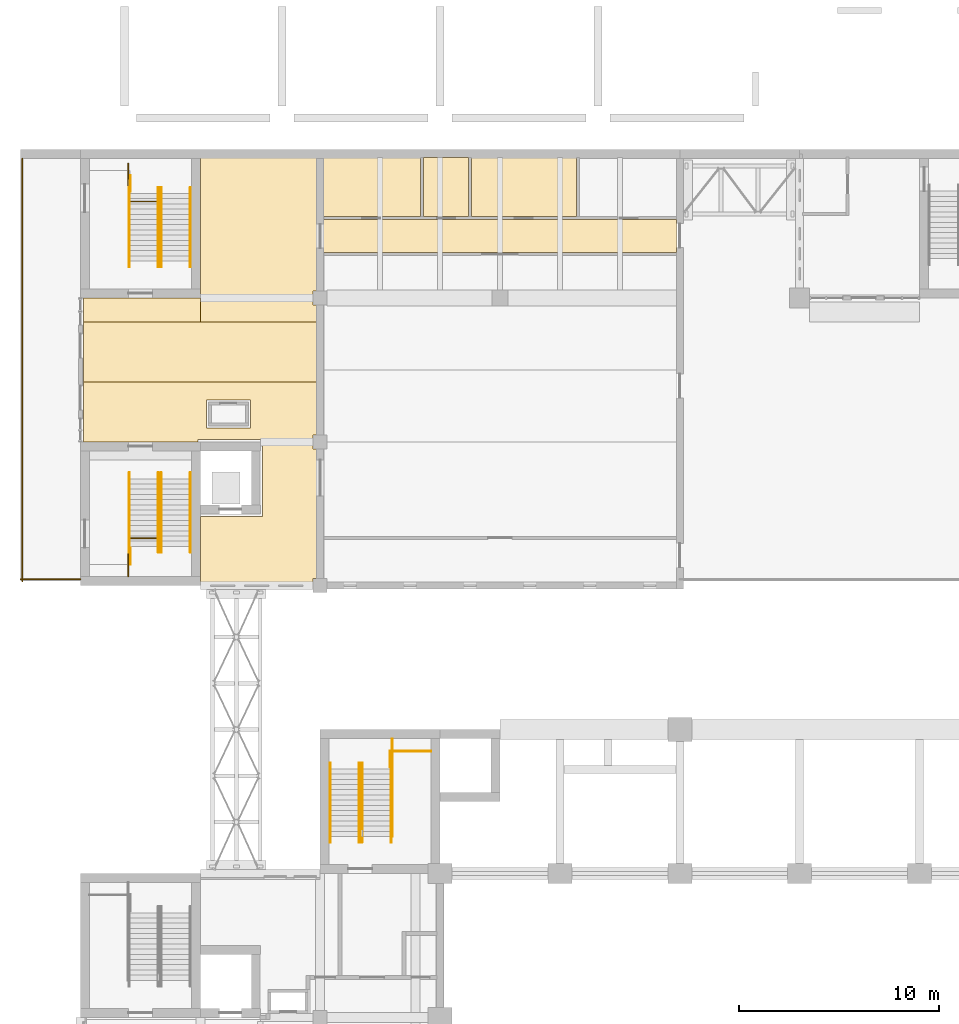
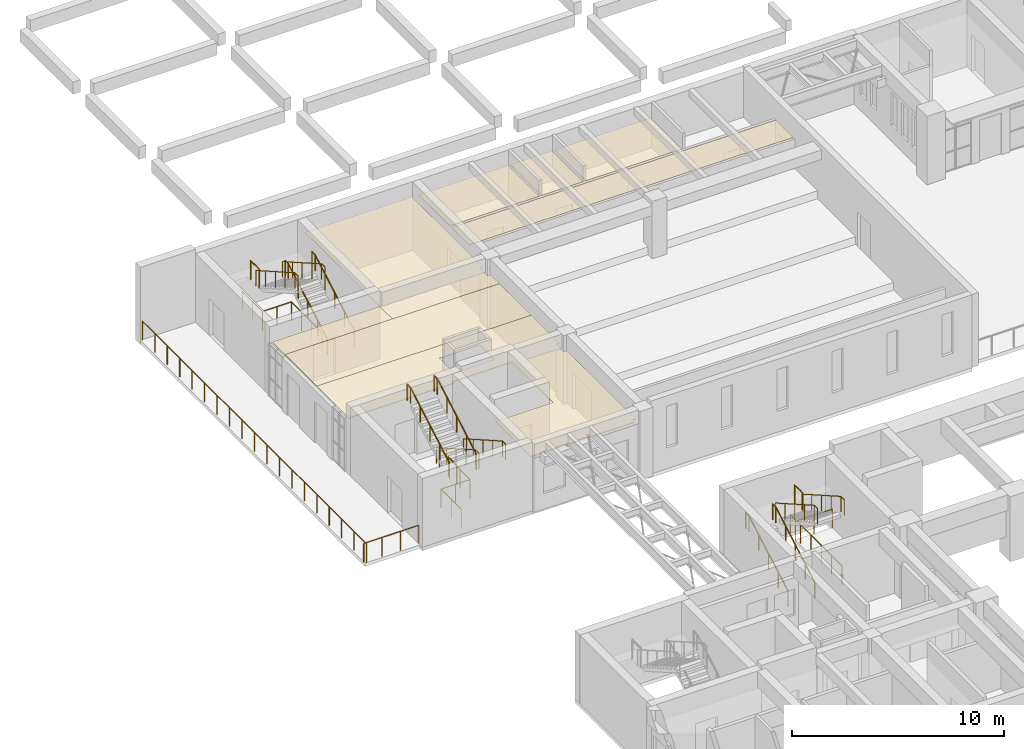
# One storey, part 97 of 103: 21 railings, 8 coverings.
"""IFC4 building model written with IfcOpenShell, lengths in metres."""

from ifc_helpers import new_model, si_unit, direction, frame, origin, origin_2d, place, context, subcontext, project, spatial, polyline, circle, outline, extrude, material, layer, layer_set, type_object, element, save


model = new_model("IFC4")

# Units and contexts
model_context = context("Model", 3, precision=1e-05, world=origin(), true_north=direction((0.0, 1.0)))
body_context = subcontext(model_context, "Body", "Model", "MODEL_VIEW")
ifc_project = project(units=[si_unit("LENGTHUNIT", "METRE"), si_unit("AREAUNIT", "SQUARE_METRE"), si_unit("VOLUMEUNIT", "CUBIC_METRE"), si_unit("PLANEANGLEUNIT", "RADIAN"), si_unit("MASSUNIT", "GRAM", prefix="KILO")], contexts=[model_context])

# Site, building, storey
site_placement = place(None, origin())
site = spatial("IfcSite", under=ifc_project, at=site_placement, CompositionType="ELEMENT")
building_placement = place(site_placement, origin())
building = spatial("IfcBuilding", under=site, at=building_placement, Name="Laocheng Heights Fire and Rescue Headquarters", CompositionType="ELEMENT")
storey_placement = place(building_placement, frame((0.0, 0.0, 4.199951171875)))
storey = spatial("IfcBuildingStorey", under=building, at=storey_placement, Name="L01", CompositionType="ELEMENT", Elevation=4.199951171875)

# Railings
ifc_material_1 = material(Name="Steel Q355B", Category="steel")
railing_type_1 = type_object("IfcRailingType", Name="STAIR GUARD 1100", PredefinedType="GUARDRAIL", material=ifc_material_1)
railing_1_placement = place(storey_placement, frame((15.52490234375, 27.719970703125, 0.0)))
element("IfcRailing", 1, at=railing_1_placement, inside=storey, type_object=railing_type_1, Name="Stair G1 guard L01 tongue edge", PredefinedType="GUARDRAIL", context=body_context, shape_type="SweptSolid", body=[
    extrude(circle(Radius=0.02392578125, at=origin_2d()), frame((0.0, 0.0, 1.076171875), z_axis=(1.0, 0.0, 0.0), x_axis=(0.0, 1.0, 0.0)), (0.0, 0.0, 1.0), 2.025146484375),
    extrude(circle(Radius=0.02099609375, at=origin_2d()), origin(), (0.0, 0.0, 1.0), 1.052001953125),
    extrude(circle(Radius=0.02099609375, at=origin_2d()), frame((1.0126953125, 0.0, 0.0)), (0.0, 0.0, 1.0), 1.052001953125),
    extrude(circle(Radius=0.02099609375, at=origin_2d()), frame((2.025146484375, 0.0, 0.0)), (0.0, 0.0, 1.0), 1.052001953125),
])
railing_2_placement = place(storey_placement, frame((15.60498046875, 28.330078125, 0.0)))
element("IfcRailing", 2, at=railing_2_placement, inside=storey, type_object=railing_type_1, Name="Stair G1 guard L01 strip edge", PredefinedType="GUARDRAIL", context=body_context, shape_type="SweptSolid", body=[
    extrude(circle(Radius=0.02392578125, at=origin_2d()), frame((0.0, 0.0, 1.076171875), z_axis=(0.0, -1.0, 0.0), x_axis=(1.0, 0.0, 0.0)), (0.0, 0.0, 1.0), 4.880126953125),
    extrude(circle(Radius=0.02099609375, at=origin_2d()), origin(), (0.0, 0.0, 1.0), 1.052001953125),
    extrude(circle(Radius=0.02099609375, at=origin_2d()), frame((0.0, -0.97607421875, 0.0)), (0.0, 0.0, 1.0), 1.052001953125),
    extrude(circle(Radius=0.02099609375, at=origin_2d()), frame((0.0, -1.9521484375, 0.0)), (0.0, 0.0, 1.0), 1.052001953125),
    extrude(circle(Radius=0.02099609375, at=origin_2d()), frame((0.0, -2.927978515625, 0.0)), (0.0, 0.0, 1.0), 1.052001953125),
    extrude(circle(Radius=0.02099609375, at=origin_2d()), frame((0.0, -3.904052734375, 0.0)), (0.0, 0.0, 1.0), 1.052001953125),
    extrude(circle(Radius=0.02099609375, at=origin_2d()), frame((0.0, -4.880126953125, 0.0)), (0.0, 0.0, 1.0), 1.052001953125),
])
railing_3_placement = place(storey_placement, frame((15.4951171875, 27.72998046875, 2.10009765625)))
element("IfcRailing", 3, at=railing_3_placement, inside=storey, type_object=railing_type_1, Name="Stair G1 guard L01 half landing", PredefinedType="GUARDRAIL", context=body_context, shape_type="SweptSolid", body=[
    extrude(circle(Radius=0.02392578125, at=origin_2d()), frame((0.0, 0.0, 1.076171875), z_axis=(0.0, -1.0, 0.0), x_axis=(1.0, 0.0, 0.0)), (0.0, 0.0, 1.0), 0.800048828125),
    extrude(circle(Radius=0.02099609375, at=origin_2d()), origin(), (0.0, 0.0, 1.0), 1.052001953125),
    extrude(circle(Radius=0.02099609375, at=origin_2d()), frame((0.0, -0.800048828125, 0.0)), (0.0, 0.0, 1.0), 1.052001953125),
])
railing_4_placement = place(storey_placement, frame((2.39501953125, 36.469970703125, 0.0)))
element("IfcRailing", 4, at=railing_4_placement, inside=storey, type_object=railing_type_1, Name="Stair P1 guard L01 under the half landing", PredefinedType="GUARDRAIL", context=body_context, shape_type="SweptSolid", body=[
    extrude(circle(Radius=0.02392578125, at=origin_2d()), frame((0.0, 0.0, 1.076171875), z_axis=(0.0, 1.0, 0.0), x_axis=(-1.0, 0.0, 0.0)), (0.0, 0.0, 1.0), 1.900146484375),
    extrude(circle(Radius=0.02392578125, at=origin_2d()), frame((0.0, 1.900146484375, 1.076171875), z_axis=(1.0, 0.0, 0.0), x_axis=(0.0, 1.0, 0.0)), (0.0, 0.0, 1.0), 1.580078125),
    extrude(circle(Radius=0.02392578125, at=origin_2d()), frame((1.580078125, 1.900146484375, 1.076171875), z_axis=(0.0, 1.0, 0.0), x_axis=(-1.0, 0.0, 0.0)), (0.0, 0.0, 1.0), 2.8798828125),
    extrude(circle(Radius=0.02099609375, at=origin_2d()), origin(), (0.0, 0.0, 1.0), 1.052001953125),
    extrude(circle(Radius=0.02099609375, at=origin_2d()), frame((0.0, 0.9501953125, 0.0)), (0.0, 0.0, 1.0), 1.052001953125),
    extrude(circle(Radius=0.02099609375, at=origin_2d()), frame((0.0, 1.900146484375, 0.0)), (0.0, 0.0, 1.0), 1.052001953125),
    extrude(circle(Radius=0.02099609375, at=origin_2d()), frame((0.7900390625, 1.900146484375, 0.0)), (0.0, 0.0, 1.0), 1.052001953125),
    extrude(circle(Radius=0.02099609375, at=origin_2d()), frame((1.580078125, 1.900146484375, 0.0)), (0.0, 0.0, 1.0), 1.052001953125),
    extrude(circle(Radius=0.02099609375, at=origin_2d()), frame((1.580078125, 2.860107421875, 0.0)), (0.0, 0.0, 1.0), 1.052001953125),
    extrude(circle(Radius=0.02099609375, at=origin_2d()), frame((1.580078125, 3.820068359375, 0.0)), (0.0, 0.0, 1.0), 1.052001953125),
    extrude(circle(Radius=0.02099609375, at=origin_2d()), frame((1.580078125, 4.780029296875, 0.0)), (0.0, 0.0, 1.0), 1.052001953125),
])
railing_5_placement = place(storey_placement, frame((2.5048828125, 37.070068359375, 2.10009765625)))
element("IfcRailing", 5, at=railing_5_placement, inside=storey, type_object=railing_type_1, Name="Stair P1 guard L01 half landing", PredefinedType="GUARDRAIL", context=body_context, shape_type="SweptSolid", body=[
    extrude(circle(Radius=0.02392578125, at=origin_2d()), frame((0.0, 0.0, 1.076171875), z_axis=(0.0, 1.0, 0.0), x_axis=(-1.0, 0.0, 0.0)), (0.0, 0.0, 1.0), 0.800048828125),
    extrude(circle(Radius=0.02099609375, at=origin_2d()), origin(), (0.0, 0.0, 1.0), 1.052001953125),
    extrude(circle(Radius=0.02099609375, at=origin_2d()), frame((0.0, 0.800048828125, 0.0)), (0.0, 0.0, 1.0), 1.052001953125),
])
railing_6_placement = place(storey_placement, frame((2.39501953125, 57.1298828125, 0.0)))
element("IfcRailing", 6, at=railing_6_placement, inside=storey, type_object=railing_type_1, Name="Stair P2 guard L01 under the half landing", PredefinedType="GUARDRAIL", context=body_context, shape_type="SweptSolid", body=[
    extrude(circle(Radius=0.02392578125, at=origin_2d()), frame((0.0, 0.0, 1.076171875), z_axis=(0.0, -1.0, 0.0), x_axis=(1.0, 0.0, 0.0)), (0.0, 0.0, 1.0), 1.900146484375),
    extrude(circle(Radius=0.02392578125, at=origin_2d()), frame((0.0, -1.900146484375, 1.076171875), z_axis=(1.0, 0.0, 0.0), x_axis=(0.0, 1.0, 0.0)), (0.0, 0.0, 1.0), 1.580078125),
    extrude(circle(Radius=0.02392578125, at=origin_2d()), frame((1.580078125, -1.900146484375, 1.076171875), z_axis=(0.0, -1.0, 0.0), x_axis=(1.0, 0.0, 0.0)), (0.0, 0.0, 1.0), 2.879638671875),
    extrude(circle(Radius=0.02099609375, at=origin_2d()), origin(), (0.0, 0.0, 1.0), 1.052001953125),
    extrude(circle(Radius=0.02099609375, at=origin_2d()), frame((0.0, -0.9501953125, 0.0)), (0.0, 0.0, 1.0), 1.052001953125),
    extrude(circle(Radius=0.02099609375, at=origin_2d()), frame((0.0, -1.900146484375, 0.0)), (0.0, 0.0, 1.0), 1.052001953125),
    extrude(circle(Radius=0.02099609375, at=origin_2d()), frame((0.7900390625, -1.900146484375, 0.0)), (0.0, 0.0, 1.0), 1.052001953125),
    extrude(circle(Radius=0.02099609375, at=origin_2d()), frame((1.580078125, -1.900146484375, 0.0)), (0.0, 0.0, 1.0), 1.052001953125),
    extrude(circle(Radius=0.02099609375, at=origin_2d()), frame((1.580078125, -2.860107421875, 0.0)), (0.0, 0.0, 1.0), 1.052001953125),
    extrude(circle(Radius=0.02099609375, at=origin_2d()), frame((1.580078125, -3.81982421875, 0.0)), (0.0, 0.0, 1.0), 1.052001953125),
    extrude(circle(Radius=0.02099609375, at=origin_2d()), frame((1.580078125, -4.77978515625, 0.0)), (0.0, 0.0, 1.0), 1.052001953125),
])
railing_7_placement = place(storey_placement, frame((2.5048828125, 56.530029296875, 2.10009765625)))
element("IfcRailing", 7, at=railing_7_placement, inside=storey, type_object=railing_type_1, Name="Stair P2 guard L01 half landing", PredefinedType="GUARDRAIL", context=body_context, shape_type="SweptSolid", body=[
    extrude(circle(Radius=0.02392578125, at=origin_2d()), frame((0.0, 0.0, 1.076171875), z_axis=(0.0, -1.0, 0.0), x_axis=(1.0, 0.0, 0.0)), (0.0, 0.0, 1.0), 0.800048828125),
    extrude(circle(Radius=0.02099609375, at=origin_2d()), origin(), (0.0, 0.0, 1.0), 1.052001953125),
    extrude(circle(Radius=0.02099609375, at=origin_2d()), frame((0.0, -0.800048828125, 0.0)), (0.0, 0.0, 1.0), 1.052001953125),
])
ifc_material_2 = material(Name="Steel Q355B", Category="steel")
railing_type_2 = type_object("IfcRailingType", Name="STAIR HANDRAIL 920", PredefinedType="HANDRAIL", material=ifc_material_2)
for number, where, name in (
    (8, (12.4951171875, 23.14990234375, 0.0), "Stair G1 handrail L01 1"),
    (9, (13.955078125, 23.14990234375, 0.0), "Stair G1 handrail L01 2"),
):
    element("IfcRailing", number, at=place(storey_placement, frame(where)), inside=storey, type_object=railing_type_2, Name=name, PredefinedType="HANDRAIL", context=body_context, shape_type="SweptSolid", body=[
        extrude(circle(Radius=0.02392578125, at=origin_2d()), frame((0.0, 0.0, 0.89599609375), z_axis=(0.0, 0.868533742332, 0.495630041896), x_axis=(-1.0, 0.0, 0.0)), (0.0, 0.0, 1.0), 4.2373046875),
        extrude(circle(Radius=0.02392578125, at=origin_2d()), frame((0.0, 3.68017578125, 2.99609375), z_axis=(0.0, 1.0, 0.0), x_axis=(-1.0, 0.0, 0.0)), (0.0, 0.0, 1.0), 0.2998046875),
        extrude(circle(Radius=0.02099609375, at=origin_2d()), origin(), (0.0, 0.0, 1.0), 0.871826171875),
        extrude(circle(Radius=0.02099609375, at=origin_2d()), frame((0.0, 0.919921875, 0.52490234375)), (0.0, 0.0, 1.0), 0.871826171875),
        extrude(circle(Radius=0.02099609375, at=origin_2d()), frame((0.0, 1.840087890625, 1.050048828125)), (0.0, 0.0, 1.0), 0.871826171875),
        extrude(circle(Radius=0.02099609375, at=origin_2d()), frame((0.0, 2.76025390625, 1.5751953125)), (0.0, 0.0, 1.0), 0.871826171875),
        extrude(circle(Radius=0.02099609375, at=origin_2d()), frame((0.0, 3.68017578125, 2.10009765625)), (0.0, 0.0, 1.0), 0.871826171875),
        extrude(circle(Radius=0.02099609375, at=origin_2d()), frame((0.0, 3.97998046875, 2.10009765625)), (0.0, 0.0, 1.0), 0.871826171875),
    ])
for number, where, name in (
    (10, (14.094970703125, 27.1298828125, 2.10009765625), "Stair G1 handrail L01 3"),
    (11, (15.554931640625, 27.1298828125, 2.10009765625), "Stair G1 handrail L01 4"),
):
    element("IfcRailing", number, at=place(storey_placement, frame(where)), inside=storey, type_object=railing_type_2, Name=name, PredefinedType="HANDRAIL", context=body_context, shape_type="SweptSolid", body=[
        extrude(circle(Radius=0.02392578125, at=origin_2d()), frame((0.0, 0.0, 0.89599609375), z_axis=(0.0, -0.868544392059, 0.495611379029), x_axis=(1.0, 0.0, 0.0)), (0.0, 0.0, 1.0), 4.23681640625),
        extrude(circle(Radius=0.02392578125, at=origin_2d()), frame((0.0, -3.679931640625, 2.99560546875), z_axis=(0.0, -1.0, 0.0), x_axis=(1.0, 0.0, 0.0)), (0.0, 0.0, 1.0), 0.300048828125),
        extrude(circle(Radius=0.02099609375, at=origin_2d()), origin(), (0.0, 0.0, 1.0), 0.871826171875),
        extrude(circle(Radius=0.02099609375, at=origin_2d()), frame((0.0, -0.919921875, 0.52490234375)), (0.0, 0.0, 1.0), 0.871826171875),
        extrude(circle(Radius=0.02099609375, at=origin_2d()), frame((0.0, -1.83984375, 1.0498046875)), (0.0, 0.0, 1.0), 0.871826171875),
        extrude(circle(Radius=0.02099609375, at=origin_2d()), frame((0.0, -2.760009765625, 1.574951171875)), (0.0, 0.0, 1.0), 0.871826171875),
        extrude(circle(Radius=0.02099609375, at=origin_2d()), frame((0.0, -3.679931640625, 2.099853515625)), (0.0, 0.0, 1.0), 0.871826171875),
        extrude(circle(Radius=0.02099609375, at=origin_2d()), frame((0.0, -3.97998046875, 2.099853515625)), (0.0, 0.0, 1.0), 0.871826171875),
    ])
for number, where, name in (
    (12, (5.5048828125, 41.64990234375, 0.0), "Stair P1 handrail L01 1"),
    (13, (4.044921875, 41.64990234375, 0.0), "Stair P1 handrail L01 2"),
):
    element("IfcRailing", number, at=place(storey_placement, frame(where)), inside=storey, type_object=railing_type_2, Name=name, PredefinedType="HANDRAIL", context=body_context, shape_type="SweptSolid", body=[
        extrude(circle(Radius=0.02392578125, at=origin_2d()), frame((0.0, 0.0, 0.89599609375), z_axis=(0.0, -0.868519587458, 0.495654845838), x_axis=(1.0, 0.0, 0.0)), (0.0, 0.0, 1.0), 4.237060546875),
        extrude(circle(Radius=0.02392578125, at=origin_2d()), frame((0.0, -3.679931640625, 2.99609375), z_axis=(0.0, -1.0, 0.0), x_axis=(1.0, 0.0, 0.0)), (0.0, 0.0, 1.0), 0.300048828125),
        extrude(circle(Radius=0.02099609375, at=origin_2d()), origin(), (0.0, 0.0, 1.0), 0.871826171875),
        extrude(circle(Radius=0.02099609375, at=origin_2d()), frame((0.0, -0.919921875, 0.52490234375)), (0.0, 0.0, 1.0), 0.871826171875),
        extrude(circle(Radius=0.02099609375, at=origin_2d()), frame((0.0, -1.83984375, 1.050048828125)), (0.0, 0.0, 1.0), 0.871826171875),
        extrude(circle(Radius=0.02099609375, at=origin_2d()), frame((0.0, -2.760009765625, 1.5751953125)), (0.0, 0.0, 1.0), 0.871826171875),
        extrude(circle(Radius=0.02099609375, at=origin_2d()), frame((0.0, -3.679931640625, 2.10009765625)), (0.0, 0.0, 1.0), 0.871826171875),
        extrude(circle(Radius=0.02099609375, at=origin_2d()), frame((0.0, -3.97998046875, 2.10009765625)), (0.0, 0.0, 1.0), 0.871826171875),
    ])
for number, where, name in (
    (14, (3.905029296875, 37.669921875, 2.10009765625), "Stair P1 handrail L01 3"),
    (15, (2.445068359375, 37.669921875, 2.10009765625), "Stair P1 handrail L01 4"),
):
    element("IfcRailing", number, at=place(storey_placement, frame(where)), inside=storey, type_object=railing_type_2, Name=name, PredefinedType="HANDRAIL", context=body_context, shape_type="SweptSolid", body=[
        extrude(circle(Radius=0.02392578125, at=origin_2d()), frame((0.0, 0.0, 0.89599609375), z_axis=(0.0, 0.868558544855, 0.495586575846), x_axis=(-1.0, 0.0, 0.0)), (0.0, 0.0, 1.0), 4.237060546875),
        extrude(circle(Radius=0.02392578125, at=origin_2d()), frame((0.0, 3.68017578125, 2.99560546875), z_axis=(0.0, 1.0, 0.0), x_axis=(-1.0, 0.0, 0.0)), (0.0, 0.0, 1.0), 0.2998046875),
        extrude(circle(Radius=0.02099609375, at=origin_2d()), origin(), (0.0, 0.0, 1.0), 0.871826171875),
        extrude(circle(Radius=0.02099609375, at=origin_2d()), frame((0.0, 0.919921875, 0.52490234375)), (0.0, 0.0, 1.0), 0.871826171875),
        extrude(circle(Radius=0.02099609375, at=origin_2d()), frame((0.0, 1.840087890625, 1.0498046875)), (0.0, 0.0, 1.0), 0.871826171875),
        extrude(circle(Radius=0.02099609375, at=origin_2d()), frame((0.0, 2.76025390625, 1.574951171875)), (0.0, 0.0, 1.0), 0.871826171875),
        extrude(circle(Radius=0.02099609375, at=origin_2d()), frame((0.0, 3.68017578125, 2.099853515625)), (0.0, 0.0, 1.0), 0.871826171875),
        extrude(circle(Radius=0.02099609375, at=origin_2d()), frame((0.0, 3.97998046875, 2.099853515625)), (0.0, 0.0, 1.0), 0.871826171875),
    ])
for number, where, name in (
    (16, (5.5048828125, 51.949951171875, 0.0), "Stair P2 handrail L01 1"),
    (17, (4.044921875, 51.949951171875, 0.0), "Stair P2 handrail L01 2"),
):
    element("IfcRailing", number, at=place(storey_placement, frame(where)), inside=storey, type_object=railing_type_2, Name=name, PredefinedType="HANDRAIL", context=body_context, shape_type="SweptSolid", body=[
        extrude(circle(Radius=0.02392578125, at=origin_2d()), frame((0.0, 0.0, 0.89599609375), z_axis=(0.0, 0.868519587458, 0.495654845838), x_axis=(-1.0, 0.0, 0.0)), (0.0, 0.0, 1.0), 4.237060546875),
        extrude(circle(Radius=0.02392578125, at=origin_2d()), frame((0.0, 3.679931640625, 2.99609375), z_axis=(0.0, 1.0, 0.0), x_axis=(-1.0, 0.0, 0.0)), (0.0, 0.0, 1.0), 0.300048828125),
        extrude(circle(Radius=0.02099609375, at=origin_2d()), origin(), (0.0, 0.0, 1.0), 0.871826171875),
        extrude(circle(Radius=0.02099609375, at=origin_2d()), frame((0.0, 0.919921875, 0.52490234375)), (0.0, 0.0, 1.0), 0.871826171875),
        extrude(circle(Radius=0.02099609375, at=origin_2d()), frame((0.0, 1.83984375, 1.050048828125)), (0.0, 0.0, 1.0), 0.871826171875),
        extrude(circle(Radius=0.02099609375, at=origin_2d()), frame((0.0, 2.760009765625, 1.5751953125)), (0.0, 0.0, 1.0), 0.871826171875),
        extrude(circle(Radius=0.02099609375, at=origin_2d()), frame((0.0, 3.679931640625, 2.10009765625)), (0.0, 0.0, 1.0), 0.871826171875),
        extrude(circle(Radius=0.02099609375, at=origin_2d()), frame((0.0, 3.97998046875, 2.10009765625)), (0.0, 0.0, 1.0), 0.871826171875),
    ])
for number, where, name in (
    (18, (3.905029296875, 55.929931640625, 2.10009765625), "Stair P2 handrail L01 3"),
    (19, (2.445068359375, 55.929931640625, 2.10009765625), "Stair P2 handrail L01 4"),
):
    element("IfcRailing", number, at=place(storey_placement, frame(where)), inside=storey, type_object=railing_type_2, Name=name, PredefinedType="HANDRAIL", context=body_context, shape_type="SweptSolid", body=[
        extrude(circle(Radius=0.02392578125, at=origin_2d()), frame((0.0, 0.0, 0.89599609375), z_axis=(0.0, -0.868544392059, 0.495611379029), x_axis=(1.0, 0.0, 0.0)), (0.0, 0.0, 1.0), 4.23681640625),
        extrude(circle(Radius=0.02392578125, at=origin_2d()), frame((0.0, -3.679931640625, 2.99560546875), z_axis=(0.0, -1.0, 0.0), x_axis=(1.0, 0.0, 0.0)), (0.0, 0.0, 1.0), 0.300048828125),
        extrude(circle(Radius=0.02099609375, at=origin_2d()), origin(), (0.0, 0.0, 1.0), 0.871826171875),
        extrude(circle(Radius=0.02099609375, at=origin_2d()), frame((0.0, -0.919921875, 0.52490234375)), (0.0, 0.0, 1.0), 0.871826171875),
        extrude(circle(Radius=0.02099609375, at=origin_2d()), frame((0.0, -1.83984375, 1.0498046875)), (0.0, 0.0, 1.0), 0.871826171875),
        extrude(circle(Radius=0.02099609375, at=origin_2d()), frame((0.0, -2.760009765625, 1.574951171875)), (0.0, 0.0, 1.0), 0.871826171875),
        extrude(circle(Radius=0.02099609375, at=origin_2d()), frame((0.0, -3.679931640625, 2.099853515625)), (0.0, 0.0, 1.0), 0.871826171875),
        extrude(circle(Radius=0.02099609375, at=origin_2d()), frame((0.0, -3.97998046875, 2.099853515625)), (0.0, 0.0, 1.0), 0.871826171875),
    ])
ifc_material_3 = material(Name="Steel Q355B", Category="steel")
railing_type_3 = type_object("IfcRailingType", Name="STEEL GUARDRAIL 1100 SITE BOUNDARY", PredefinedType="GUARDRAIL", material=ifc_material_3)
railing_8_placement = place(storey_placement, frame((-2.89990234375, 36.22509765625, 0.0)))
element("IfcRailing", 20, at=railing_8_placement, inside=storey, type_object=railing_type_3, Name="Site boundary guard L01", PredefinedType="GUARDRAIL", context=body_context, shape_type="SweptSolid", body=[
    extrude(circle(Radius=0.02490234375, at=origin_2d()), frame((0.0, 0.0, 1.0751953125), z_axis=(0.0, 1.0, 0.0), x_axis=(-1.0, 0.0, 0.0)), (0.0, 0.0, 1.0), 21.14990234375),
    extrude(circle(Radius=0.02490234375, at=origin_2d()), origin(), (0.0, 0.0, 1.0), 1.050048828125),
    extrude(circle(Radius=0.02490234375, at=origin_2d()), frame((0.0, 1.175048828125, 0.0)), (0.0, 0.0, 1.0), 1.050048828125),
    extrude(circle(Radius=0.02490234375, at=origin_2d()), frame((0.0, 2.35009765625, 0.0)), (0.0, 0.0, 1.0), 1.050048828125),
    extrude(circle(Radius=0.02490234375, at=origin_2d()), frame((0.0, 3.52490234375, 0.0)), (0.0, 0.0, 1.0), 1.050048828125),
    extrude(circle(Radius=0.02490234375, at=origin_2d()), frame((0.0, 4.699951171875, 0.0)), (0.0, 0.0, 1.0), 1.050048828125),
    extrude(circle(Radius=0.02490234375, at=origin_2d()), frame((0.0, 5.875, 0.0)), (0.0, 0.0, 1.0), 1.050048828125),
    extrude(circle(Radius=0.02490234375, at=origin_2d()), frame((0.0, 7.050048828125, 0.0)), (0.0, 0.0, 1.0), 1.050048828125),
    extrude(circle(Radius=0.02490234375, at=origin_2d()), frame((0.0, 8.224853515625, 0.0)), (0.0, 0.0, 1.0), 1.050048828125),
    extrude(circle(Radius=0.02490234375, at=origin_2d()), frame((0.0, 9.39990234375, 0.0)), (0.0, 0.0, 1.0), 1.050048828125),
    extrude(circle(Radius=0.02490234375, at=origin_2d()), frame((0.0, 10.574951171875, 0.0)), (0.0, 0.0, 1.0), 1.050048828125),
    extrude(circle(Radius=0.02490234375, at=origin_2d()), frame((0.0, 11.75, 0.0)), (0.0, 0.0, 1.0), 1.050048828125),
    extrude(circle(Radius=0.02490234375, at=origin_2d()), frame((0.0, 12.925048828125, 0.0)), (0.0, 0.0, 1.0), 1.050048828125),
    extrude(circle(Radius=0.02490234375, at=origin_2d()), frame((0.0, 14.099853515625, 0.0)), (0.0, 0.0, 1.0), 1.050048828125),
    extrude(circle(Radius=0.02490234375, at=origin_2d()), frame((0.0, 15.27490234375, 0.0)), (0.0, 0.0, 1.0), 1.050048828125),
    extrude(circle(Radius=0.02490234375, at=origin_2d()), frame((0.0, 16.449951171875, 0.0)), (0.0, 0.0, 1.0), 1.050048828125),
    extrude(circle(Radius=0.02490234375, at=origin_2d()), frame((0.0, 17.625, 0.0)), (0.0, 0.0, 1.0), 1.050048828125),
    extrude(circle(Radius=0.02490234375, at=origin_2d()), frame((0.0, 18.7998046875, 0.0)), (0.0, 0.0, 1.0), 1.050048828125),
    extrude(circle(Radius=0.02490234375, at=origin_2d()), frame((0.0, 19.974853515625, 0.0)), (0.0, 0.0, 1.0), 1.050048828125),
    extrude(circle(Radius=0.02490234375, at=origin_2d()), frame((0.0, 21.14990234375, 0.0)), (0.0, 0.0, 1.0), 1.050048828125),
])
ifc_material_4 = material(Name="Steel Q355B", Category="steel")
railing_type_4 = type_object("IfcRailingType", Name="STEEL GUARDRAIL 1100 TERRACE EDGE", PredefinedType="GUARDRAIL", material=ifc_material_4)
railing_9_placement = place(storey_placement, frame((-3.0, 36.324951171875, 0.0)))
element("IfcRailing", 21, at=railing_9_placement, inside=storey, type_object=railing_type_4, Name="Guard on top of RW1 -3 to 0", PredefinedType="GUARDRAIL", context=body_context, shape_type="SweptSolid", body=[
    extrude(circle(Radius=0.02490234375, at=origin_2d()), frame((0.0, 0.0, 1.0751953125), z_axis=(1.0, 0.0, 0.0), x_axis=(0.0, 1.0, 0.0)), (0.0, 0.0, 1.0), 3.0),
    extrude(circle(Radius=0.02490234375, at=origin_2d()), origin(), (0.0, 0.0, 1.0), 1.050048828125),
    extrude(circle(Radius=0.02490234375, at=origin_2d()), frame((1.0, 0.0, 0.0)), (0.0, 0.0, 1.0), 1.050048828125),
    extrude(circle(Radius=0.02490234375, at=origin_2d()), frame((2.0, 0.0, 0.0)), (0.0, 0.0, 1.0), 1.050048828125),
    extrude(circle(Radius=0.02490234375, at=origin_2d()), frame((3.0, 0.0, 0.0)), (0.0, 0.0, 1.0), 1.050048828125),
])

# Coverings
ifc_material_5 = material(Name="Mineral fibre ceiling tile")
ifc_layer = layer(ifc_material_5, 0.0400390625)
ifc_layer_set = layer_set([ifc_layer], Name="Mineral fibre ceiling tile")
covering_type = type_object("IfcCoveringType", Name="SUSPENDED CEILING MINERAL FIBRE TILE PAVILION", PredefinedType="CEILING", material=ifc_layer_set)
covering_1_placement = place(storey_placement, frame((0.0, 0.0, 3.0)))
element("IfcCovering", 22, at=covering_1_placement, inside=storey, type_object=covering_type, Name="Foyer and Box Office ceiling", PredefinedType="CEILING", context=body_context, shape_type="SweptSolid", body=[
    extrude(outline(polyline([(6.125, 39.47509765625), (8.875, 39.47509765625), (9.125, 39.47509765625), (9.125, 39.72509765625), (9.125, 43.074951171875), (9.125, 43.324951171875), (8.875, 43.324951171875), (6.125, 43.324951171875), (5.875, 43.324951171875), (5.875, 43.199951171875), (0.14990234375, 43.199951171875), (0.14990234375, 46.199951171875), (11.824951171875, 46.199951171875), (11.824951171875, 43.550048828125), (11.64990234375, 43.550048828125), (11.64990234375, 42.85009765625), (11.824951171875, 42.85009765625), (11.824951171875, 36.35009765625), (11.64990234375, 36.35009765625), (11.64990234375, 36.14990234375), (6.0, 36.14990234375), (6.0, 39.47509765625), (6.125, 39.47509765625)]), holes=[polyline([(8.5, 44.10009765625), (8.5, 45.10009765625), (8.5, 45.300048828125), (8.300048828125, 45.300048828125), (6.5, 45.300048828125), (6.300048828125, 45.300048828125), (6.300048828125, 45.10009765625), (6.300048828125, 44.10009765625), (6.300048828125, 43.89990234375), (6.5, 43.89990234375), (8.300048828125, 43.89990234375), (8.5, 43.89990234375), (8.5, 44.10009765625)])]), origin(), (0.0, 0.0, 1.0), 0.0400390625),
])
covering_2_placement = place(storey_placement, frame((0.0, 0.0, 3.0)))
element("IfcCovering", 23, at=covering_2_placement, inside=storey, type_object=covering_type, Name="Fire Safety Shop ceiling", PredefinedType="CEILING", context=body_context, shape_type="SweptSolid", body=[
    extrude(outline(polyline([(11.824951171875, 46.199951171875), (0.14990234375, 46.199951171875), (0.14990234375, 49.199951171875), (11.824951171875, 49.199951171875), (11.824951171875, 46.199951171875)])), origin(), (0.0, 0.0, 1.0), 0.0400390625),
])
covering_3_placement = place(storey_placement, frame((0.0, 0.0, 3.0)))
element("IfcCovering", 24, at=covering_3_placement, inside=storey, type_object=covering_type, Name="Stair Lobby South ceiling", PredefinedType="CEILING", context=body_context, shape_type="SweptSolid", body=[
    extrude(outline(polyline([(6.0, 49.199951171875), (0.14990234375, 49.199951171875), (0.14990234375, 50.39990234375), (6.0, 50.39990234375), (6.0, 49.199951171875)])), origin(), (0.0, 0.0, 1.0), 0.0400390625),
])
covering_4_placement = place(storey_placement, frame((0.0, 0.0, 3.0)))
element("IfcCovering", 25, at=covering_4_placement, inside=storey, type_object=covering_type, Name="Cafe ceiling", PredefinedType="CEILING", context=body_context, shape_type="SweptSolid", body=[
    extrude(outline(polyline([(6.0, 57.449951171875), (11.824951171875, 57.449951171875), (11.824951171875, 57.425048828125), (11.824951171875, 50.75), (11.64990234375, 50.75), (11.64990234375, 50.050048828125), (11.824951171875, 50.050048828125), (11.824951171875, 49.199951171875), (6.0, 49.199951171875), (6.0, 57.449951171875)])), origin(), (0.0, 0.0, 1.0), 0.0400390625),
])
covering_5_placement = place(storey_placement, frame((0.0, 0.0, 3.0)))
element("IfcCovering", 26, at=covering_5_placement, inside=storey, type_object=covering_type, Name="Theatre Access Circulation ceiling", PredefinedType="CEILING", context=body_context, shape_type="SweptSolid", body=[
    extrude(outline(polyline([(12.175048828125, 54.324951171875), (29.824951171875, 54.324951171875), (29.824951171875, 52.675048828125), (12.175048828125, 52.675048828125), (12.175048828125, 54.324951171875)])), origin(), (0.0, 0.0, 1.0), 0.0400390625),
])
covering_6_placement = place(storey_placement, frame((0.0, 0.0, 3.0)))
element("IfcCovering", 27, at=covering_6_placement, inside=storey, type_object=covering_type, Name="Public Toilets ceiling", PredefinedType="CEILING", context=body_context, shape_type="SweptSolid", body=[
    extrude(outline(polyline([(12.175048828125, 57.425048828125), (17.02490234375, 57.425048828125), (17.02490234375, 54.47509765625), (12.175048828125, 54.47509765625), (12.175048828125, 57.425048828125)])), origin(), (0.0, 0.0, 1.0), 0.0400390625),
])
covering_7_placement = place(storey_placement, frame((0.0, 0.0, 3.0)))
element("IfcCovering", 28, at=covering_7_placement, inside=storey, type_object=covering_type, Name="Accessible WC ceiling", PredefinedType="CEILING", context=body_context, shape_type="SweptSolid", body=[
    extrude(outline(polyline([(19.425048828125, 54.47509765625), (17.175048828125, 54.47509765625), (17.175048828125, 57.425048828125), (19.425048828125, 57.425048828125), (19.425048828125, 54.47509765625)])), origin(), (0.0, 0.0, 1.0), 0.0400390625),
])
covering_8_placement = place(storey_placement, frame((0.0, 0.0, 3.0)))
element("IfcCovering", 29, at=covering_8_placement, inside=storey, type_object=covering_type, Name="Speakers' Room ceiling", PredefinedType="CEILING", context=body_context, shape_type="SweptSolid", body=[
    extrude(outline(polyline([(24.824951171875, 54.47509765625), (19.574951171875, 54.47509765625), (19.574951171875, 57.425048828125), (24.824951171875, 57.425048828125), (24.824951171875, 54.47509765625)])), origin(), (0.0, 0.0, 1.0), 0.0400390625),
])

save(model, "model.ifc")
